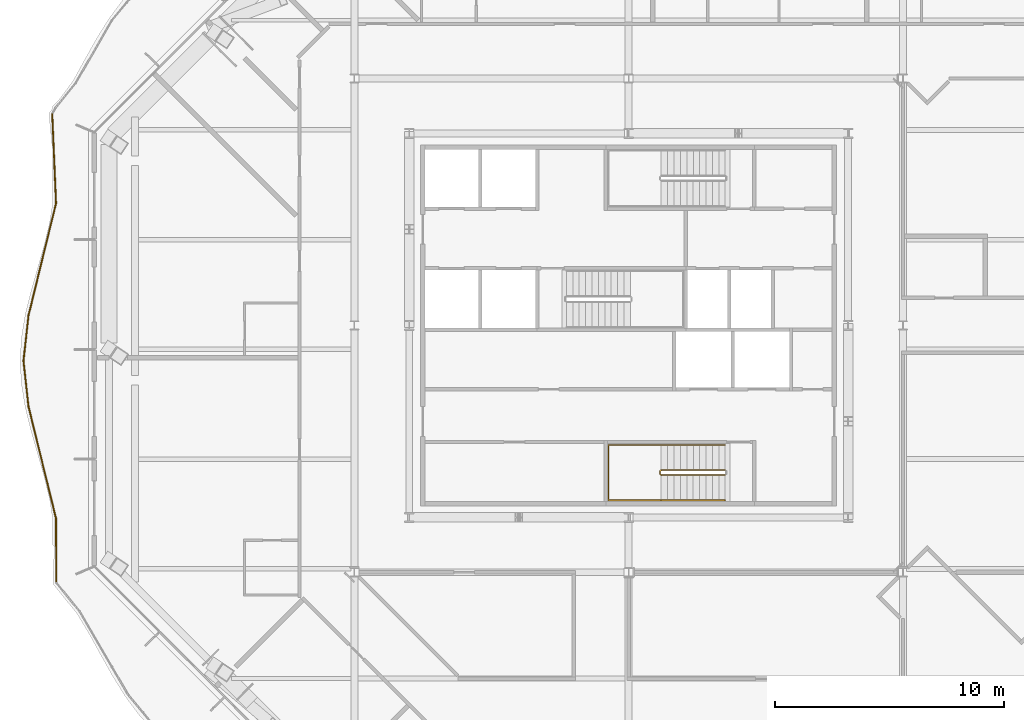
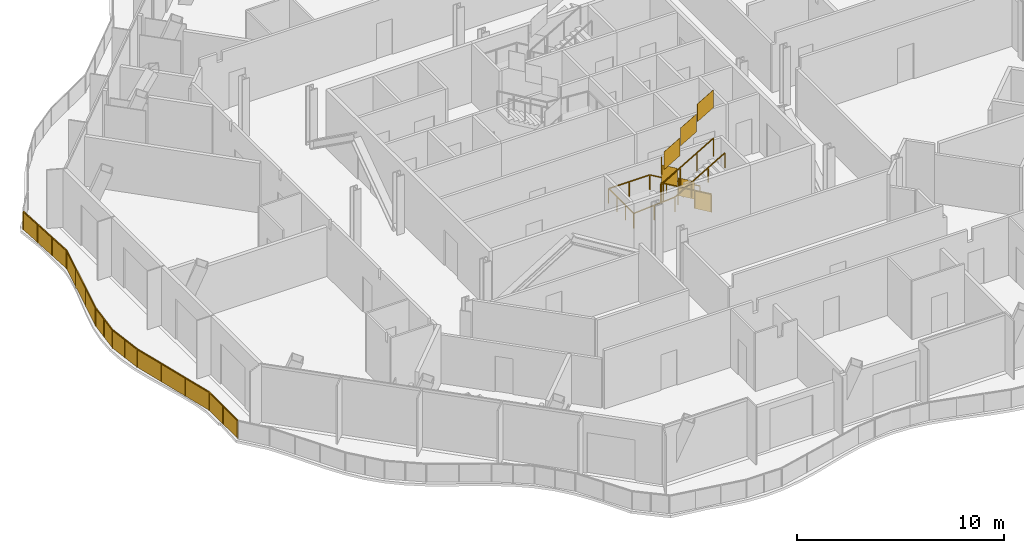
# One storey, part 15 of 19: 3 railings.
"""IFC4 building model written with IfcOpenShell, lengths in metres."""

from ifc_helpers import new_model, si_unit, direction, frame, origin, origin_2d, place, context, subcontext, project, spatial, polyline, rectangle, outline, extrude, material, type_object, element, save


model = new_model("IFC4")

# Units and contexts
model_context = context("Model", 3, precision=1e-05, world=origin(), true_north=direction((0.0, 1.0)))
body_context = subcontext(model_context, "Body", "Model", "MODEL_VIEW")
ifc_project = project(units=[si_unit("LENGTHUNIT", "METRE"), si_unit("AREAUNIT", "SQUARE_METRE"), si_unit("VOLUMEUNIT", "CUBIC_METRE"), si_unit("PLANEANGLEUNIT", "RADIAN"), si_unit("MASSUNIT", "GRAM", prefix="KILO")], contexts=[model_context])

# Site, building, storey
site_placement = place(None, origin())
site = spatial("IfcSite", under=ifc_project, at=site_placement, CompositionType="ELEMENT")
building_placement = place(site_placement, origin())
building = spatial("IfcBuilding", under=site, at=building_placement, Name="Cairn Pilgrim Tower", CompositionType="ELEMENT")
storey_placement = place(building_placement, frame((0.0, 0.0, 190.199951171875)))
storey = spatial("IfcBuildingStorey", under=building, at=storey_placement, Name="L48", CompositionType="ELEMENT", Elevation=190.199951171875)

# Railings
ifc_material_1 = material(Name="Bronze anodised aluminium rail and posts with laminated glass infill", Category="aluminium")
railing_type_1 = type_object("IfcRailingType", Name="BALCONY GUARD 1100", PredefinedType="GUARDRAIL", material=ifc_material_1)
railing_1_placement = place(storey_placement, frame((-18.015625, 11.638671875, 0.0)))
element("IfcRailing", 1, at=railing_1_placement, inside=storey, type_object=railing_type_1, Name="Balcony guard BG-1", PredefinedType="GUARDRAIL", context=body_context, shape_type="SweptSolid", body=[
    extrude(rectangle(XDim=0.050048828125, YDim=0.050048828125, at=origin_2d()), frame((0.0, 0.0, 1.0751953125), z_axis=(0.042631544028, -0.999090862461, 0.0), x_axis=(0.999090862461, 0.042631544028, 0.0)), (0.0, 0.0, 1.0), 3.90576171875),
    extrude(rectangle(XDim=0.050048828125, YDim=0.050048828125, at=origin_2d()), frame((0.16650390625, -3.902099609375, 1.0751953125), z_axis=(-0.238683340448, -0.971097452881, 0.0), x_axis=(0.971097452881, -0.238683340448, 0.0)), (0.0, 0.0, 1.0), 5.042724609375),
    extrude(rectangle(XDim=0.050048828125, YDim=0.050048828125, at=origin_2d()), frame((-1.037109375, -8.799072265625, 1.0751953125), z_axis=(-0.110324722253, -0.993895595955, 0.0), x_axis=(0.993895595955, -0.110324722253, 0.0)), (0.0, 0.0, 1.0), 2.007080078125),
    extrude(rectangle(XDim=0.050048828125, YDim=0.050048828125, at=origin_2d()), frame((-1.258544921875, -10.7939453125, 1.0751953125), z_axis=(0.110204563386, -0.993908926516, 0.0), x_axis=(0.993908926516, 0.110204563386, 0.0)), (0.0, 0.0, 1.0), 2.007080078125),
    extrude(rectangle(XDim=0.050048828125, YDim=0.050048828125, at=origin_2d()), frame((-1.037353515625, -12.788818359375, 1.0751953125), z_axis=(0.238647350513, -0.97110629804, 0.0), x_axis=(0.97110629804, 0.238647350513, 0.0)), (0.0, 0.0, 1.0), 5.04052734375),
    extrude(rectangle(XDim=0.050048828125, YDim=0.050048828125, at=origin_2d()), frame((0.16552734375, -17.68359375, 1.0751953125), z_axis=(0.002404481427, -0.99999710923, 0.0), x_axis=(0.99999710923, 0.002404481427, 0.0)), (0.0, 0.0, 1.0), 2.741455078125),
    extrude(rectangle(XDim=0.050048828125, YDim=0.050048828125, at=origin_2d()), origin(), (0.0, 0.0, 1.0), 1.050048828125),
    extrude(rectangle(XDim=0.050048828125, YDim=0.050048828125, at=origin_2d()), frame((0.055419921875, -1.30078125, 0.0)), (0.0, 0.0, 1.0), 1.050048828125),
    extrude(rectangle(XDim=0.050048828125, YDim=0.050048828125, at=origin_2d()), frame((0.111083984375, -2.601318359375, 0.0)), (0.0, 0.0, 1.0), 1.050048828125),
    extrude(rectangle(XDim=0.050048828125, YDim=0.050048828125, at=origin_2d()), frame((0.16650390625, -3.902099609375, 0.0)), (0.0, 0.0, 1.0), 1.050048828125),
    extrude(rectangle(XDim=0.050048828125, YDim=0.050048828125, at=origin_2d()), frame((-0.234619140625, -5.534423828125, 0.0)), (0.0, 0.0, 1.0), 1.050048828125),
    extrude(rectangle(XDim=0.050048828125, YDim=0.050048828125, at=origin_2d()), frame((-0.635986328125, -7.166748046875, 0.0)), (0.0, 0.0, 1.0), 1.050048828125),
    extrude(rectangle(XDim=0.050048828125, YDim=0.050048828125, at=origin_2d()), frame((-1.037109375, -8.799072265625, 0.0)), (0.0, 0.0, 1.0), 1.050048828125),
    extrude(rectangle(XDim=0.050048828125, YDim=0.050048828125, at=origin_2d()), frame((-1.14794921875, -9.79638671875, 0.0)), (0.0, 0.0, 1.0), 1.050048828125),
    extrude(rectangle(XDim=0.050048828125, YDim=0.050048828125, at=origin_2d()), frame((-1.258544921875, -10.7939453125, 0.0)), (0.0, 0.0, 1.0), 1.050048828125),
    extrude(rectangle(XDim=0.050048828125, YDim=0.050048828125, at=origin_2d()), frame((-1.14794921875, -11.79150390625, 0.0)), (0.0, 0.0, 1.0), 1.050048828125),
    extrude(rectangle(XDim=0.050048828125, YDim=0.050048828125, at=origin_2d()), frame((-1.037353515625, -12.788818359375, 0.0)), (0.0, 0.0, 1.0), 1.050048828125),
    extrude(rectangle(XDim=0.050048828125, YDim=0.050048828125, at=origin_2d()), frame((-0.636474609375, -14.42041015625, 0.0)), (0.0, 0.0, 1.0), 1.050048828125),
    extrude(rectangle(XDim=0.050048828125, YDim=0.050048828125, at=origin_2d()), frame((-0.2353515625, -16.052001953125, 0.0)), (0.0, 0.0, 1.0), 1.050048828125),
    extrude(rectangle(XDim=0.050048828125, YDim=0.050048828125, at=origin_2d()), frame((0.16552734375, -17.68359375, 0.0)), (0.0, 0.0, 1.0), 1.050048828125),
    extrude(rectangle(XDim=0.050048828125, YDim=0.050048828125, at=origin_2d()), frame((0.1689453125, -19.05419921875, 0.0)), (0.0, 0.0, 1.0), 1.050048828125),
    extrude(rectangle(XDim=0.050048828125, YDim=0.050048828125, at=origin_2d()), frame((0.172119140625, -20.425048828125, 0.0)), (0.0, 0.0, 1.0), 1.050048828125),
    extrude(outline(polyline([(0.02490234375, 0.0), (1.27685546875, 0.0), (1.27685546875, 1.050048828125), (0.02490234375, 1.050048828125), (0.02490234375, 0.0)])), frame((0.005859375, 0.000244140625, 0.0), z_axis=(-0.999090862461, -0.042631544028, 0.0), x_axis=(0.042631544028, -0.999090862461, 0.0)), (0.0, 0.0, 1.0), 0.011962890625),
    extrude(outline(polyline([(0.02490234375, 0.0), (1.27685546875, 0.0), (1.27685546875, 1.050048828125), (0.02490234375, 1.050048828125), (0.02490234375, 0.0)])), frame((0.0615234375, -1.300537109375, 0.0), z_axis=(-0.999090862461, -0.042631544028, 0.0), x_axis=(0.042631544028, -0.999090862461, 0.0)), (0.0, 0.0, 1.0), 0.011962890625),
    extrude(outline(polyline([(0.02490234375, 0.0), (1.27685546875, 0.0), (1.27685546875, 1.050048828125), (0.02490234375, 1.050048828125), (0.02490234375, 0.0)])), frame((0.116943359375, -2.60107421875, 0.0), z_axis=(-0.999090862461, -0.042631544028, 0.0), x_axis=(0.042631544028, -0.999090862461, 0.0)), (0.0, 0.0, 1.0), 0.011962890625),
    extrude(outline(polyline([(0.02490234375, 0.0), (1.65576171875, 0.0), (1.65576171875, 1.050048828125), (0.02490234375, 1.050048828125), (0.02490234375, 0.0)])), frame((0.17236328125, -3.903564453125, 0.0), z_axis=(-0.971097452881, 0.238683340448, 0.0), x_axis=(-0.238683340448, -0.971097452881, 0.0)), (0.0, 0.0, 1.0), 0.011962890625),
    extrude(outline(polyline([(0.02490234375, 0.0), (1.65576171875, 0.0), (1.65576171875, 1.050048828125), (0.02490234375, 1.050048828125), (0.02490234375, 0.0)])), frame((-0.22900390625, -5.535888671875, 0.0), z_axis=(-0.971097452881, 0.238683340448, 0.0), x_axis=(-0.238683340448, -0.971097452881, 0.0)), (0.0, 0.0, 1.0), 0.011962890625),
    extrude(outline(polyline([(0.02490234375, 0.0), (1.65576171875, 0.0), (1.65576171875, 1.050048828125), (0.02490234375, 1.050048828125), (0.02490234375, 0.0)])), frame((-0.630126953125, -7.168212890625, 0.0), z_axis=(-0.971097452881, 0.238683340448, 0.0), x_axis=(-0.238683340448, -0.971097452881, 0.0)), (0.0, 0.0, 1.0), 0.011962890625),
    extrude(outline(polyline([(0.02490234375, 0.0), (0.978515625, 0.0), (0.978515625, 1.050048828125), (0.02490234375, 1.050048828125), (0.02490234375, 0.0)])), frame((-1.03125, -8.7998046875, 0.0), z_axis=(-0.993895595955, 0.110324722253, 0.0), x_axis=(-0.110324722253, -0.993895595955, 0.0)), (0.0, 0.0, 1.0), 0.011962890625),
    extrude(outline(polyline([(0.02490234375, 0.0), (0.978515625, 0.0), (0.978515625, 1.050048828125), (0.02490234375, 1.050048828125), (0.02490234375, 0.0)])), frame((-1.141845703125, -9.797119140625, 0.0), z_axis=(-0.993895595955, 0.110324722253, 0.0), x_axis=(-0.110324722253, -0.993895595955, 0.0)), (0.0, 0.0, 1.0), 0.011962890625),
    extrude(outline(polyline([(0.02490234375, 0.0), (0.978515625, 0.0), (0.978515625, 1.050048828125), (0.02490234375, 1.050048828125), (0.02490234375, 0.0)])), frame((-1.252685546875, -10.793212890625, 0.0), z_axis=(-0.993908926516, -0.110204563386, 0.0), x_axis=(0.110204563386, -0.993908926516, 0.0)), (0.0, 0.0, 1.0), 0.011962890625),
    extrude(outline(polyline([(0.02490234375, 0.0), (0.978515625, 0.0), (0.978515625, 1.050048828125), (0.02490234375, 1.050048828125), (0.02490234375, 0.0)])), frame((-1.14208984375, -11.790771484375, 0.0), z_axis=(-0.993908926516, -0.110204563386, 0.0), x_axis=(0.110204563386, -0.993908926516, 0.0)), (0.0, 0.0, 1.0), 0.011962890625),
    extrude(outline(polyline([(0.02490234375, 0.0), (1.655029296875, 0.0), (1.655029296875, 1.050048828125), (0.02490234375, 1.050048828125), (0.02490234375, 0.0)])), frame((-1.031494140625, -12.787353515625, 0.0), z_axis=(-0.97110629804, -0.238647350513, 0.0), x_axis=(0.238647350513, -0.97110629804, 0.0)), (0.0, 0.0, 1.0), 0.011962890625),
    extrude(outline(polyline([(0.02490234375, 0.0), (1.655029296875, 0.0), (1.655029296875, 1.050048828125), (0.02490234375, 1.050048828125), (0.02490234375, 0.0)])), frame((-0.630615234375, -14.4189453125, 0.0), z_axis=(-0.97110629804, -0.238647350513, 0.0), x_axis=(0.238647350513, -0.97110629804, 0.0)), (0.0, 0.0, 1.0), 0.011962890625),
    extrude(outline(polyline([(0.02490234375, 0.0), (1.655029296875, 0.0), (1.655029296875, 1.050048828125), (0.02490234375, 1.050048828125), (0.02490234375, 0.0)])), frame((-0.229736328125, -16.050537109375, 0.0), z_axis=(-0.97110629804, -0.238647350513, 0.0), x_axis=(0.238647350513, -0.97110629804, 0.0)), (0.0, 0.0, 1.0), 0.011962890625),
    extrude(outline(polyline([(0.02490234375, 0.0), (1.345703125, 0.0), (1.345703125, 1.050048828125), (0.02490234375, 1.050048828125), (0.02490234375, 0.0)])), frame((0.17138671875, -17.68359375, 0.0), z_axis=(-0.99999710923, -0.002404481427, 0.0), x_axis=(0.002404481427, -0.99999710923, 0.0)), (0.0, 0.0, 1.0), 0.011962890625),
    extrude(outline(polyline([(0.02490234375, 0.0), (1.345703125, 0.0), (1.345703125, 1.050048828125), (0.02490234375, 1.050048828125), (0.02490234375, 0.0)])), frame((0.1748046875, -19.05419921875, 0.0), z_axis=(-0.99999710923, -0.002404481427, 0.0), x_axis=(0.002404481427, -0.99999710923, 0.0)), (0.0, 0.0, 1.0), 0.011962890625),
])
ifc_material_2 = material(Name="Painted steel", Category="steel")
railing_type_2 = type_object("IfcRailingType", Name="STAIR GUARD 1100", PredefinedType="GUARDRAIL", material=ifc_material_2)
railing_2_placement = place(storey_placement, frame((11.425048828125, -3.925048828125, 0.16357421875)))
element("IfcRailing", 2, at=railing_2_placement, inside=storey, type_object=railing_type_2, Name="L48 ST-A stair guard 1", PredefinedType="GUARDRAIL", context=body_context, shape_type="SweptSolid", body=[
    extrude(rectangle(XDim=0.048095703125, YDim=0.048095703125, at=origin_2d()), frame((0.0, 0.0, 1.076171875), z_axis=(-0.863360870873, 0.0, 0.504586966384), x_axis=(0.0, -1.0, 0.0)), (0.0, 0.0, 1.0), 3.2431640625),
    extrude(rectangle(XDim=0.048095703125, YDim=0.048095703125, at=origin_2d()), frame((-2.800048828125, 0.0, 2.71240234375), z_axis=(-0.707106781187, -0.707106781187, 0.0), x_axis=(0.707106781187, -0.707106781187, 0.0)), (0.0, 0.0, 1.0), 0.07080078125),
    extrude(rectangle(XDim=0.048095703125, YDim=0.048095703125, at=origin_2d()), frame((-2.85009765625, -0.050048828125, 2.71240234375), z_axis=(0.0, -1.0, 0.0), x_axis=(1.0, 0.0, 0.0)), (0.0, 0.0, 1.0), 0.125),
    extrude(rectangle(XDim=0.048095703125, YDim=0.048095703125, at=origin_2d()), frame((-2.85009765625, -0.175048828125, 2.71240234375), z_axis=(0.280916556609, -0.279546231943, 0.91811752648), x_axis=(0.705375805398, 0.708833529934, 0.0)), (0.0, 0.0, 1.0), 0.17822265625),
    extrude(rectangle(XDim=0.048095703125, YDim=0.048095703125, at=origin_2d()), frame((-2.800048828125, -0.224853515625, 2.8759765625), z_axis=(0.863360870873, 0.0, 0.504586966384), x_axis=(0.0, 1.0, 0.0)), (0.0, 0.0, 1.0), 3.2431640625),
    extrude(rectangle(XDim=0.0419921875, YDim=0.0419921875, at=origin_2d()), origin(), (0.0, 0.0, 1.0), 1.052001953125),
    extrude(rectangle(XDim=0.0419921875, YDim=0.0419921875, at=origin_2d()), frame((-0.933349609375, 0.0, 0.54541015625)), (0.0, 0.0, 1.0), 1.052001953125),
    extrude(rectangle(XDim=0.0419921875, YDim=0.0419921875, at=origin_2d()), frame((-1.86669921875, 0.0, 1.091064453125)), (0.0, 0.0, 1.0), 1.052001953125),
    extrude(rectangle(XDim=0.0419921875, YDim=0.0419921875, at=origin_2d()), frame((-2.800048828125, 0.0, 1.636474609375)), (0.0, 0.0, 1.0), 1.052001953125),
    extrude(rectangle(XDim=0.0419921875, YDim=0.0419921875, at=origin_2d()), frame((-2.85009765625, -0.050048828125, 1.636474609375)), (0.0, 0.0, 1.0), 1.052001953125),
    extrude(rectangle(XDim=0.0419921875, YDim=0.0419921875, at=origin_2d()), frame((-2.85009765625, -0.175048828125, 1.636474609375)), (0.0, 0.0, 1.0), 1.052001953125),
    extrude(rectangle(XDim=0.0419921875, YDim=0.0419921875, at=origin_2d()), frame((-2.800048828125, -0.224853515625, 1.800048828125)), (0.0, 0.0, 1.0), 1.052001953125),
    extrude(rectangle(XDim=0.0419921875, YDim=0.0419921875, at=origin_2d()), frame((-1.86669921875, -0.224853515625, 2.345458984375)), (0.0, 0.0, 1.0), 1.052001953125),
    extrude(rectangle(XDim=0.0419921875, YDim=0.0419921875, at=origin_2d()), frame((-0.933349609375, -0.224853515625, 2.89111328125)), (0.0, 0.0, 1.0), 1.052001953125),
    extrude(rectangle(XDim=0.0419921875, YDim=0.0419921875, at=origin_2d()), frame((0.0, -0.224853515625, 3.4365234375)), (0.0, 0.0, 1.0), 1.052001953125),
    extrude(outline(polyline([(0.02099609375, 0.01220703125), (0.912353515625, 0.533203125), (0.912353515625, 1.585205078125), (0.02099609375, 1.064208984375), (0.02099609375, 0.01220703125)])), frame((0.0, -0.005859375, 0.0), z_axis=(0.0, 1.0, 0.0), x_axis=(-1.0, 0.0, 0.0)), (0.0, 0.0, 1.0), 0.011962890625),
    extrude(outline(polyline([(0.02099609375, 0.557861328125), (0.912353515625, 1.07861328125), (0.912353515625, 2.130615234375), (0.02099609375, 1.60986328125), (0.02099609375, 0.557861328125)])), frame((-0.933349609375, -0.005859375, 0.54541015625), z_axis=(0.0, 1.0, 0.0), x_axis=(-1.0, 0.0, 0.0)), (0.0, 0.0, 1.0), 0.011962890625),
    extrude(outline(polyline([(0.02099609375, 1.103271484375), (0.912353515625, 1.624267578125), (0.912353515625, 2.67626953125), (0.02099609375, 2.1552734375), (0.02099609375, 1.103271484375)])), frame((-1.86669921875, -0.005859375, 1.091064453125), z_axis=(0.0, 1.0, 0.0), x_axis=(-1.0, 0.0, 0.0)), (0.0, 0.0, 1.0), 0.011962890625),
    extrude(outline(polyline([(0.02099609375, 1.636474609375), (0.10400390625, 1.636474609375), (0.10400390625, 2.6884765625), (0.02099609375, 2.6884765625), (0.02099609375, 1.636474609375)])), frame((-2.84423828125, -0.050048828125, 1.636474609375), z_axis=(-1.0, 0.0, 0.0), x_axis=(0.0, -1.0, 0.0)), (0.0, 0.0, 1.0), 0.011962890625),
    extrude(outline(polyline([(0.02099609375, 1.812255859375), (0.912353515625, 2.333251953125), (0.912353515625, 3.38525390625), (0.02099609375, 2.8642578125), (0.02099609375, 1.812255859375)])), frame((-2.800048828125, -0.21875, 1.800048828125), z_axis=(0.0, -1.0, 0.0), x_axis=(1.0, 0.0, 0.0)), (0.0, 0.0, 1.0), 0.011962890625),
    extrude(outline(polyline([(0.02099609375, 2.35791015625), (0.912353515625, 2.878662109375), (0.912353515625, 3.9306640625), (0.02099609375, 3.409912109375), (0.02099609375, 2.35791015625)])), frame((-1.86669921875, -0.21875, 2.345458984375), z_axis=(0.0, -1.0, 0.0), x_axis=(1.0, 0.0, 0.0)), (0.0, 0.0, 1.0), 0.011962890625),
    extrude(outline(polyline([(0.02099609375, 2.9033203125), (0.912353515625, 3.42431640625), (0.912353515625, 4.476318359375), (0.02099609375, 3.955322265625), (0.02099609375, 2.9033203125)])), frame((-0.933349609375, -0.21875, 2.89111328125), z_axis=(0.0, -1.0, 0.0), x_axis=(1.0, 0.0, 0.0)), (0.0, 0.0, 1.0), 0.011962890625),
])
railing_type_3 = type_object("IfcRailingType", Name="STAIR HANDRAIL 900", PredefinedType="HANDRAIL", material=ifc_material_2)
railing_3_placement = place(storey_placement, frame((11.425048828125, -2.824951171875, 0.16357421875)))
element("IfcRailing", 3, at=railing_3_placement, inside=storey, type_object=railing_type_3, Name="L48 ST-A stair handrail 1", PredefinedType="HANDRAIL", context=body_context, shape_type="SweptSolid", body=[
    extrude(rectangle(XDim=0.048095703125, YDim=0.048095703125, at=origin_2d()), frame((0.0, 0.0, 0.8759765625), z_axis=(-0.863360870873, 0.0, 0.504586966384), x_axis=(0.0, -1.0, 0.0)), (0.0, 0.0, 1.0), 3.2431640625),
    extrude(rectangle(XDim=0.048095703125, YDim=0.048095703125, at=origin_2d()), frame((-2.800048828125, 0.0, 2.51220703125), z_axis=(-1.0, 0.0, 0.0), x_axis=(0.0, -1.0, 0.0)), (0.0, 0.0, 1.0), 2.300048828125),
    extrude(rectangle(XDim=0.048095703125, YDim=0.048095703125, at=origin_2d()), frame((-5.10009765625, 0.0, 2.51220703125), z_axis=(0.0, -1.0, 0.0), x_axis=(1.0, 0.0, 0.0)), (0.0, 0.0, 1.0), 2.425048828125),
    extrude(rectangle(XDim=0.048095703125, YDim=0.048095703125, at=origin_2d()), frame((-5.10009765625, -2.425048828125, 2.51220703125), z_axis=(0.997480687736, 0.0, 0.070938548008), x_axis=(0.0, 1.0, 0.0)), (0.0, 0.0, 1.0), 2.305908203125),
    extrude(rectangle(XDim=0.048095703125, YDim=0.048095703125, at=origin_2d()), frame((-2.800048828125, -2.425048828125, 2.67578125), z_axis=(0.863360870873, 0.0, 0.504586966384), x_axis=(0.0, 1.0, 0.0)), (0.0, 0.0, 1.0), 3.2431640625),
    extrude(rectangle(XDim=0.0419921875, YDim=0.0419921875, at=origin_2d()), origin(), (0.0, 0.0, 1.0), 0.851806640625),
    extrude(rectangle(XDim=0.0419921875, YDim=0.0419921875, at=origin_2d()), frame((-0.933349609375, 0.0, 0.54541015625)), (0.0, 0.0, 1.0), 0.851806640625),
    extrude(rectangle(XDim=0.0419921875, YDim=0.0419921875, at=origin_2d()), frame((-1.86669921875, 0.0, 1.091064453125)), (0.0, 0.0, 1.0), 0.851806640625),
    extrude(rectangle(XDim=0.0419921875, YDim=0.0419921875, at=origin_2d()), frame((-2.800048828125, 0.0, 1.636474609375)), (0.0, 0.0, 1.0), 0.851806640625),
    extrude(rectangle(XDim=0.0419921875, YDim=0.0419921875, at=origin_2d()), frame((-3.9501953125, 0.0, 1.636474609375)), (0.0, 0.0, 1.0), 0.851806640625),
    extrude(rectangle(XDim=0.0419921875, YDim=0.0419921875, at=origin_2d()), frame((-5.10009765625, 0.0, 1.636474609375)), (0.0, 0.0, 1.0), 0.851806640625),
    extrude(rectangle(XDim=0.0419921875, YDim=0.0419921875, at=origin_2d()), frame((-5.10009765625, -0.808349609375, 1.636474609375)), (0.0, 0.0, 1.0), 0.851806640625),
    extrude(rectangle(XDim=0.0419921875, YDim=0.0419921875, at=origin_2d()), frame((-5.10009765625, -1.61669921875, 1.636474609375)), (0.0, 0.0, 1.0), 0.851806640625),
    extrude(rectangle(XDim=0.0419921875, YDim=0.0419921875, at=origin_2d()), frame((-5.10009765625, -2.425048828125, 1.636474609375)), (0.0, 0.0, 1.0), 0.851806640625),
    extrude(rectangle(XDim=0.0419921875, YDim=0.0419921875, at=origin_2d()), frame((-3.9501953125, -2.425048828125, 1.71826171875)), (0.0, 0.0, 1.0), 0.851806640625),
    extrude(rectangle(XDim=0.0419921875, YDim=0.0419921875, at=origin_2d()), frame((-2.800048828125, -2.425048828125, 1.800048828125)), (0.0, 0.0, 1.0), 0.851806640625),
    extrude(rectangle(XDim=0.0419921875, YDim=0.0419921875, at=origin_2d()), frame((-1.86669921875, -2.425048828125, 2.345458984375)), (0.0, 0.0, 1.0), 0.851806640625),
    extrude(rectangle(XDim=0.0419921875, YDim=0.0419921875, at=origin_2d()), frame((-0.933349609375, -2.425048828125, 2.89111328125)), (0.0, 0.0, 1.0), 0.851806640625),
    extrude(rectangle(XDim=0.0419921875, YDim=0.0419921875, at=origin_2d()), frame((0.0, -2.425048828125, 3.4365234375)), (0.0, 0.0, 1.0), 0.851806640625),
])

save(model, "model.ifc")
